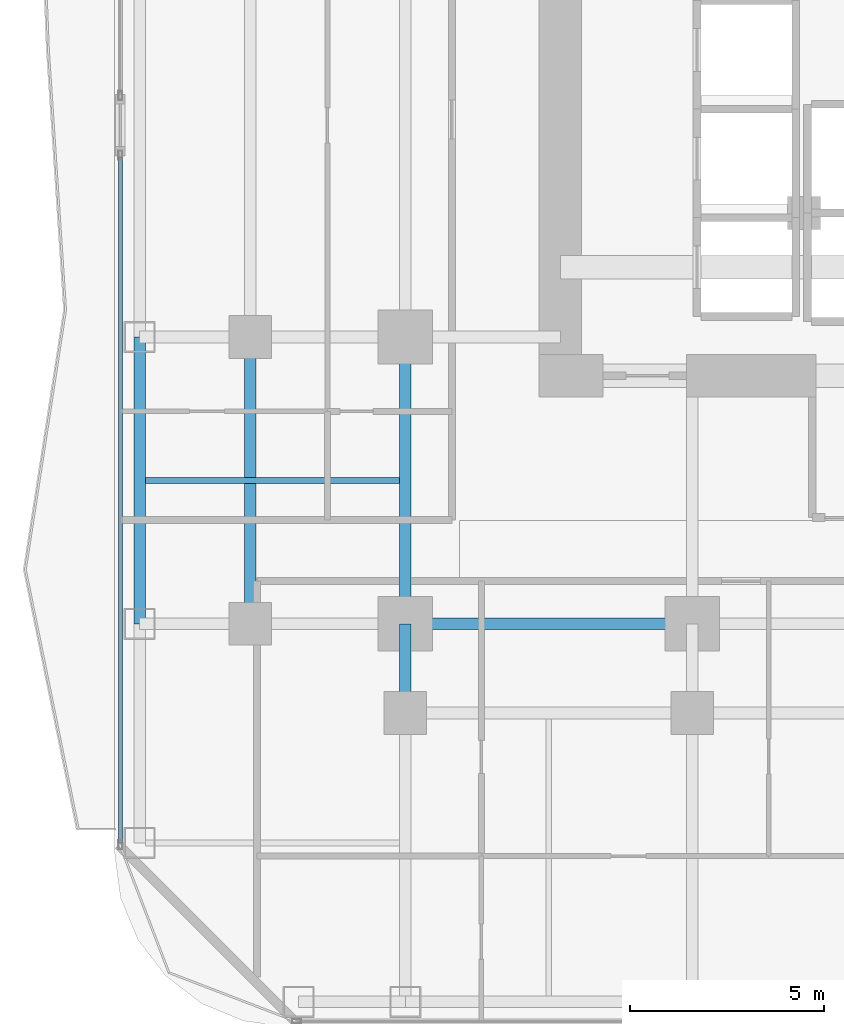
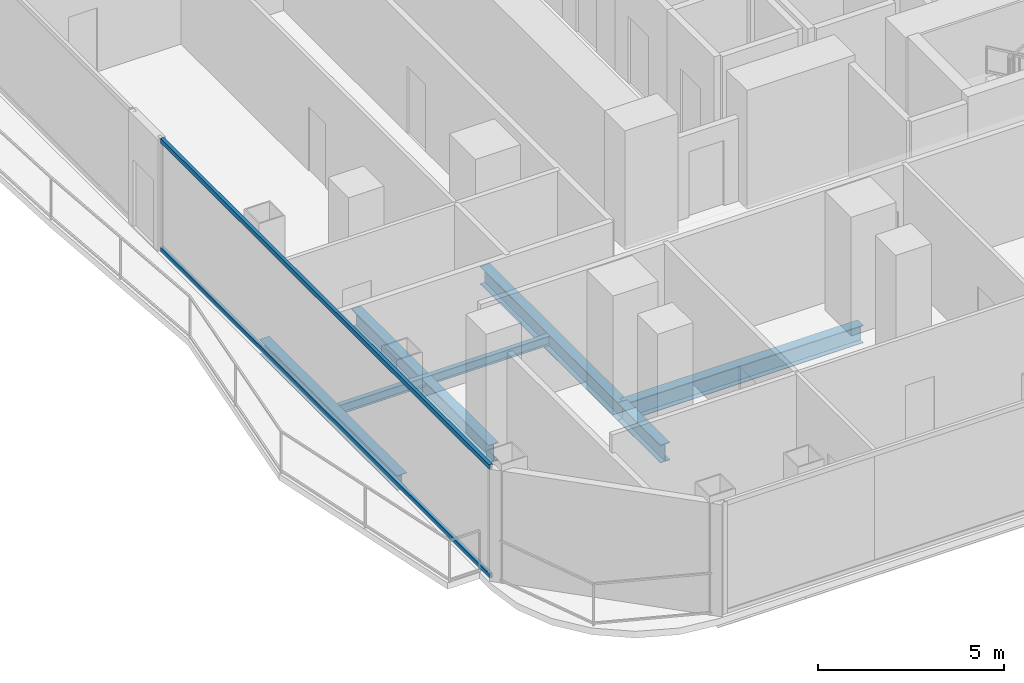
# One storey, part 3 of 27: 6 beams, 2 members, 1 element without a shape of its own.
"""IFC4 building model written with IfcOpenShell, lengths in metres."""

from ifc_helpers import new_model, si_unit, direction, frame, origin, origin_2d, place, context, subcontext, project, spatial, hollow_rectangle, i_section, extrude, material, layer, layer_set, material_profile, profile_set, type_object, element, aggregate, save


model = new_model("IFC4")

# Units and contexts
model_context = context("Model", 3, precision=1e-05, world=origin(), true_north=direction((0.0, 1.0)))
body_context = subcontext(model_context, "Body", "Model", "MODEL_VIEW")
ifc_project = project(units=[si_unit("LENGTHUNIT", "METRE"), si_unit("AREAUNIT", "SQUARE_METRE"), si_unit("VOLUMEUNIT", "CUBIC_METRE"), si_unit("PLANEANGLEUNIT", "RADIAN"), si_unit("MASSUNIT", "GRAM", prefix="KILO")], contexts=[model_context])

# Site, building, storey
site_placement = place(None, origin())
site = spatial("IfcSite", under=ifc_project, at=site_placement, CompositionType="ELEMENT")
building_placement = place(site_placement, origin())
building = spatial("IfcBuilding", under=site, at=building_placement, Name="Khorvyn Point Tower", CompositionType="ELEMENT")
storey_placement = place(building_placement, frame((0.0, 0.0, 42.300048828125)))
storey = spatial("IfcBuildingStorey", under=building, at=storey_placement, Name="L11", CompositionType="ELEMENT", Elevation=42.300048828125)

# Curtain wall, members
ifc_material_1 = material(Name="Anodised aluminium 6063-T6 and laminated Low-E glass", Category="aluminium")
ifc_layer = layer(ifc_material_1, 0.18994140625)
ifc_layer_set = layer_set([ifc_layer], Name="Stick-Built Finned Residential Curtain Wall CW-SYS-02")
curtain_wall_type = type_object("IfcCurtainWallType", Name="Stick-Built Finned Residential Curtain Wall CW-SYS-02", PredefinedType="NOTDEFINED", material=ifc_layer_set)
curtain_wall_placement = place(storey_placement, origin())
curtain_wall = element("IfcCurtainWall", 1, at=curtain_wall_placement, inside=storey, type_object=curtain_wall_type, Name="Curtain Wall", PredefinedType="NOTDEFINED")
ifc_material_2 = material(Name="Anodised aluminium 6063-T6", Category="aluminium")
ifc_material_profile_1 = material_profile(ifc_material_2, hollow_rectangle(XDim=0.10009765625, YDim=0.159912109375, WallThickness=0.00439453125, at=origin_2d()))
ifc_profile_set_1 = profile_set([ifc_material_profile_1], Name="Anodised aluminium 6063-T6 ALU-TRN-100x160")
member_type = type_object("IfcMemberType", Name="Anodised Aluminium 6063-T6 Transom ALU-TRN-100x160", PredefinedType="USERDEFINED", material=ifc_profile_set_1)
member_1_placement = place(storey_placement, frame((-22.14990234375, -20.449951171875, 0.050048828125), z_axis=(0.0, 1.0, 0.0), x_axis=(-1.0, 0.0, 0.0)))
member_1 = element("IfcMember", 2, at=member_1_placement, type_object=member_type, Name="Transom", ObjectType="TRANSOM", PredefinedType="USERDEFINED", context=body_context, shape_type="SweptSolid", body=[
    extrude(hollow_rectangle(XDim=0.10009765625, YDim=0.159912109375, WallThickness=0.00439453125, at=origin_2d()), origin(), (0.0, 0.0, 1.0), 17.68798828125),
])
member_2_placement = place(storey_placement, frame((-22.14990234375, -20.449951171875, 3.6298828125), z_axis=(0.0, 1.0, 0.0), x_axis=(-1.0, 0.0, 0.0)))
member_2 = element("IfcMember", 3, at=member_2_placement, type_object=member_type, Name="Transom", ObjectType="TRANSOM", PredefinedType="USERDEFINED", context=body_context, shape_type="SweptSolid", body=[
    extrude(hollow_rectangle(XDim=0.10009765625, YDim=0.159912109375, WallThickness=0.00439453125, at=origin_2d()), origin(), (0.0, 0.0, 1.0), 17.68798828125),
])
aggregate(curtain_wall, [member_1, member_2])

# Beams
ifc_material_3 = material(Name="Steel S355", Category="steel")
ifc_material_profile_2 = material_profile(ifc_material_3, i_section(OverallWidth=0.300048828125, OverallDepth=0.587890625, WebThickness=0.011962890625, FlangeThickness=0.02001953125, at=origin_2d()))
ifc_profile_set_2 = profile_set([ifc_material_profile_2], Name="Steel S355 H588x300x12x20")
beam_type_1 = type_object("IfcBeamType", Name="Steel S355 Beam H588x300x12x20", PredefinedType="BEAM", material=ifc_profile_set_2)
beam_1_placement = place(storey_placement, frame((-14.800048828125, -14.800048828125, -0.51416015625), z_axis=(1.0, 0.0, 0.0), x_axis=(0.0, 1.0, 0.0)))
element("IfcBeam", 4, at=beam_1_placement, inside=storey, type_object=beam_type_1, Name="Beam", PredefinedType="BEAM", context=body_context, shape_type="SweptSolid", body=[
    extrude(i_section(OverallWidth=0.300048828125, OverallDepth=0.587890625, WebThickness=0.011962890625, FlangeThickness=0.02001953125, at=origin_2d()), origin(), (0.0, 0.0, 1.0), 7.400146484375),
])
beam_2_placement = place(storey_placement, frame((-14.800048828125, -17.10009765625, -0.51416015625), z_axis=(0.0, 1.0, 0.0), x_axis=(-1.0, 0.0, 0.0)))
element("IfcBeam", 5, at=beam_2_placement, inside=storey, type_object=beam_type_1, Name="Beam", PredefinedType="BEAM", context=body_context, shape_type="SweptSolid", body=[
    extrude(i_section(OverallWidth=0.300048828125, OverallDepth=0.587890625, WebThickness=0.011962890625, FlangeThickness=0.02001953125, at=origin_2d()), origin(), (0.0, 0.0, 1.0), 2.300048828125),
])
for number, where, z_axis, x_axis, name in (
    (6, (-14.800048828125, -14.800048828125, -0.51416015625), (0.0, 1.0, 0.0), (-1.0, 0.0, 0.0), "Beam"),
    (7, (-18.800048828125, -14.800048828125, -0.51416015625), (0.0, 1.0, 0.0), (-1.0, 0.0, 0.0), "Beam"),
):
    element("IfcBeam", number, at=place(storey_placement, frame(where, z_axis=z_axis, x_axis=x_axis)), inside=storey, type_object=beam_type_1, Name=name, PredefinedType="BEAM", context=body_context, shape_type="SweptSolid", body=[
        extrude(i_section(OverallWidth=0.300048828125, OverallDepth=0.587890625, WebThickness=0.011962890625, FlangeThickness=0.02001953125, at=origin_2d()), origin(), (0.0, 0.0, 1.0), 7.400146484375),
    ])
ifc_material_profile_3 = material_profile(ifc_material_3, i_section(OverallWidth=0.14990234375, OverallDepth=0.300048828125, WebThickness=0.006591796875, FlangeThickness=0.009033203125, at=origin_2d()))
ifc_profile_set_3 = profile_set([ifc_material_profile_3], Name="Steel S355 H300x150x6.5x9")
beam_type_2 = type_object("IfcBeamType", Name="Steel S355 Joist H300x150x6.5x9", PredefinedType="JOIST", material=ifc_profile_set_3)
beam_3_placement = place(storey_placement, frame((-21.5, -11.10009765625, -0.3701171875), z_axis=(1.0, 0.0, 0.0), x_axis=(0.0, 1.0, 0.0)))
element("IfcBeam", 8, at=beam_3_placement, inside=storey, type_object=beam_type_2, Name="Beam", PredefinedType="JOIST", context=body_context, shape_type="SweptSolid", body=[
    extrude(i_section(OverallWidth=0.14990234375, OverallDepth=0.300048828125, WebThickness=0.006591796875, FlangeThickness=0.009033203125, at=origin_2d()), origin(), (0.0, 0.0, 1.0), 6.550048828125),
])
ifc_material_profile_4 = material_profile(ifc_material_3, i_section(OverallWidth=0.300048828125, OverallDepth=0.488037109375, WebThickness=0.010986328125, FlangeThickness=0.01806640625, at=origin_2d()))
ifc_profile_set_4 = profile_set([ifc_material_profile_4], Name="Steel S355 H488x300x11x18")
beam_type_3 = type_object("IfcBeamType", Name="Steel S355 Spandrel H488x300x11x18", PredefinedType="SPANDREL", material=ifc_profile_set_4)
beam_4_placement = place(storey_placement, frame((-21.64990234375, -14.800048828125, -0.464111328125), z_axis=(0.0, 1.0, 0.0), x_axis=(-1.0, 0.0, 0.0)))
element("IfcBeam", 9, at=beam_4_placement, inside=storey, type_object=beam_type_3, Name="Beam", PredefinedType="SPANDREL", context=body_context, shape_type="SweptSolid", body=[
    extrude(i_section(OverallWidth=0.300048828125, OverallDepth=0.488037109375, WebThickness=0.010986328125, FlangeThickness=0.01806640625, at=origin_2d()), origin(), (0.0, 0.0, 1.0), 7.400146484375),
])

save(model, "model.ifc")
